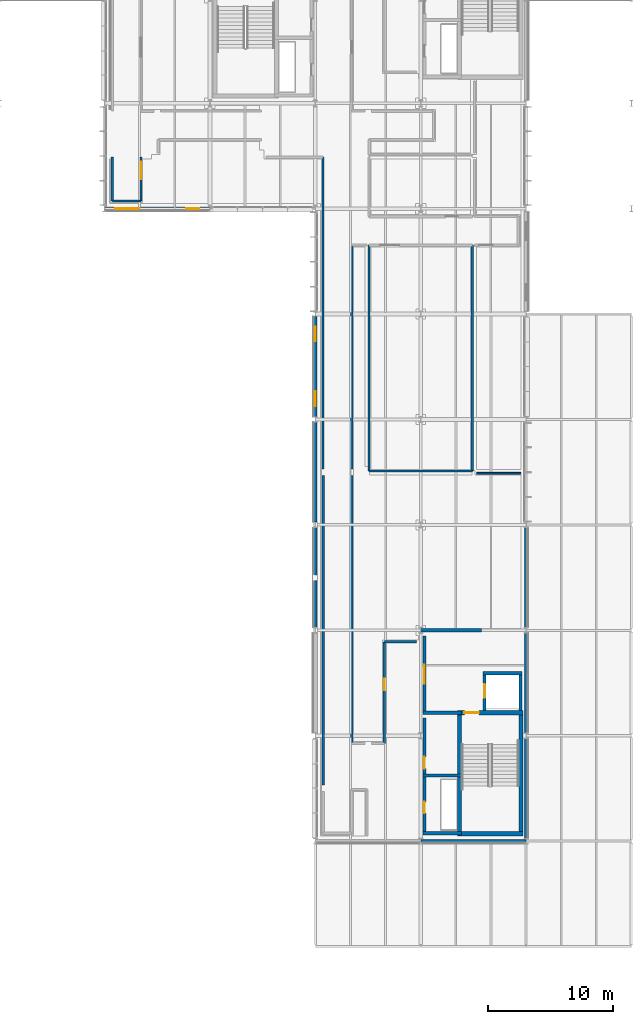
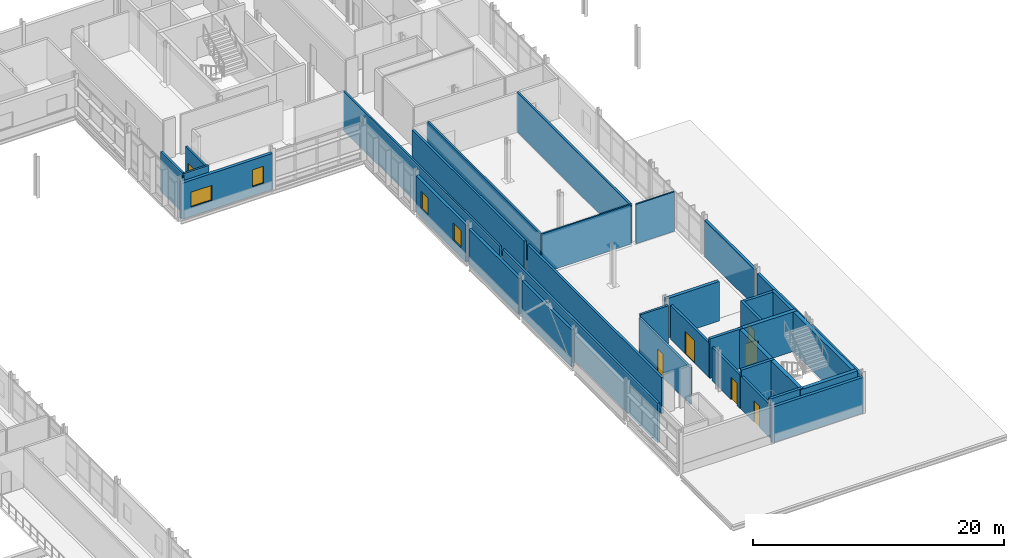
# One storey, part 129 of 151: 35 walls, 7 doors, 4 windows, 11 openings.
"""IFC4 building model written with IfcOpenShell, lengths in metres."""

from ifc_helpers import new_model, si_unit, direction, frame, frame_2d, origin, place, context, subcontext, project, spatial, rectangle, extrude, material, layer, layer_set, type_object, element, fill, save


model = new_model("IFC4")

# Units and contexts
model_context = context("Model", 3, precision=1e-05, world=origin(), true_north=direction((0.0, 1.0)))
body_context = subcontext(model_context, "Body", "Model", "MODEL_VIEW")
ifc_project = project(units=[si_unit("LENGTHUNIT", "METRE"), si_unit("AREAUNIT", "SQUARE_METRE"), si_unit("VOLUMEUNIT", "CUBIC_METRE"), si_unit("PLANEANGLEUNIT", "RADIAN"), si_unit("MASSUNIT", "GRAM", prefix="KILO")], contexts=[model_context])

# Site, building, storey
site_placement = place(None, origin())
site = spatial("IfcSite", under=ifc_project, at=site_placement, CompositionType="ELEMENT")
building_placement = place(site_placement, origin())
building = spatial("IfcBuilding", under=site, at=building_placement, Name="Mersafa Astral City Hall", CompositionType="ELEMENT")
storey_placement = place(building_placement, frame((0.0, 0.0, 9.89990234375)))
storey = spatial("IfcBuildingStorey", under=building, at=storey_placement, Name="L02", CompositionType="ELEMENT", Elevation=9.89990234375)

# Walls
ifc_material_1 = material(Name="Precast concrete C40/50 insulated terracotta spandrel", Category="masonry")
ifc_layer_1 = layer(ifc_material_1, 0.235107421875, Name="Precast concrete C40/50 insulated terracotta spandrel")
ifc_layer_set_1 = layer_set([ifc_layer_1], Name="Precast concrete C40/50 insulated terracotta spandrel — ENV-WAL-EXT-235")
wall_type_1 = type_object("IfcWallType", Name="ENV-WAL-EXT-235", PredefinedType="STANDARD", material=ifc_layer_set_1)
for number, where, z_axis, x_axis, name in (
    (1, (159.60009765625, 75.37890625, 0.0), (0.0, 0.0, 1.0), (0.0, -1.0, 0.0), "L02 Limestone-clad exterior wall 179"),
    (2, (176.39990234375, 67.4208984375, 0.0), (0.0, 0.0, 1.0), (0.0, 1.0, 0.0), "L02 Limestone-clad exterior wall 185"),
):
    element("IfcWall", number, at=place(storey_placement, frame(where, z_axis=z_axis, x_axis=x_axis)), inside=storey, type_object=wall_type_1, Name=name, PredefinedType="STANDARD", context=body_context, shape_type="SweptSolid", body=[
        extrude(rectangle(XDim=7.9580078125, YDim=0.235107421875, at=frame_2d((3.97900390625, 0.0))), origin(), (0.0, 0.0, 1.0), 3.56201171875),
    ])
ifc_layer_2 = layer(ifc_material_1, 0.25, Name="Precast concrete C40/50 insulated terracotta spandrel")
ifc_layer_set_2 = layer_set([ifc_layer_2], Name="Precast concrete C40/50 insulated terracotta spandrel — ENV-WAL-EXT-250")
wall_type_2 = type_object("IfcWallType", Name="ENV-WAL-EXT-250", PredefinedType="STANDARD", material=ifc_layer_set_2)
wall_1_placement = place(storey_placement, frame((159.60009765625, 83.803955078125, 0.0), z_axis=(0.0, 0.0, 1.0), x_axis=(0.0, -1.0, 0.0)))
element("IfcWall", 3, at=wall_1_placement, inside=storey, type_object=wall_type_2, Name="L02 Limestone-clad exterior wall 178", PredefinedType="STANDARD", context=body_context, shape_type="SweptSolid", body=[
    extrude(rectangle(XDim=7.98291015625, YDim=0.25, at=frame_2d((3.991455078125, 0.0))), origin(), (0.0, 0.0, 1.0), 3.47216796875),
])
wall_2_placement = place(storey_placement, frame((176.39990234375, 59.02099609375, 0.0), z_axis=(0.0, 0.0, 1.0), x_axis=(0.0, 1.0, 0.0)))
element("IfcWall", 4, at=wall_2_placement, inside=storey, type_object=wall_type_2, Name="L02 Limestone-clad exterior wall 184", PredefinedType="STANDARD", context=body_context, shape_type="SweptSolid", body=[
    extrude(rectangle(XDim=7.9580078125, YDim=0.25, at=frame_2d((3.97900390625, 0.0))), origin(), (0.0, 0.0, 1.0), 3.47216796875),
])

# Wall, openings, windows
ifc_material_2 = material(Name="Precast concrete C40/50 insulated limestone wall", Category="masonry")
ifc_layer_3 = layer(ifc_material_2, 0.264892578125, Name="Precast concrete C40/50 insulated limestone wall")
ifc_layer_set_3 = layer_set([ifc_layer_3], Name="Precast concrete C40/50 insulated limestone wall — ENV-WAL-EXT-265")
wall_type_3 = type_object("IfcWallType", Name="ENV-WAL-EXT-265", PredefinedType="STANDARD", material=ifc_layer_set_3)
wall_3_placement = place(storey_placement, frame((159.60009765625, 92.22412109375, 0.0), z_axis=(0.0, 0.0, 1.0), x_axis=(0.0, -1.0, 0.0)))
wall_3 = element("IfcWall", 5, at=wall_3_placement, inside=storey, type_object=wall_type_3, Name="L02 Limestone-clad exterior wall 177", PredefinedType="STANDARD", context=body_context, shape_type="SweptSolid", body=[
    extrude(rectangle(XDim=8.028076171875, YDim=0.264892578125, at=frame_2d((4.01416015625, 0.0))), origin(), (0.0, 0.0, 1.0), 3.56201171875),
])
opening_1_placement = place(wall_3_placement, frame((0.85009765625, 0.0, 0.89990234375)))
opening_1 = element("IfcOpeningElement", 6, at=opening_1_placement, cuts=wall_3, Name="Opening W-32", PredefinedType="OPENING", context=body_context, shape_type="SweptSolid", body=[
    extrude(rectangle(XDim=1.1201171875, YDim=1.64990234375, at=frame_2d((0.56005859375, 0.824951171875))), frame((0.0, 0.142333984375, 0.0), z_axis=(0.0, -1.0, 0.0), x_axis=(1.0, 0.0, 0.0)), (0.0, 0.0, 1.0), 0.284912109375),
])
opening_2_placement = place(wall_3_placement, frame((5.9580078125, 0.0, 0.89990234375)))
opening_2 = element("IfcOpeningElement", 7, at=opening_2_placement, cuts=wall_3, Name="Opening W-33", PredefinedType="OPENING", context=body_context, shape_type="SweptSolid", body=[
    extrude(rectangle(XDim=1.219970703125, YDim=1.64990234375, at=frame_2d((0.60986328125, 0.824951171875))), frame((0.0, 0.142333984375, 0.0), z_axis=(0.0, -1.0, 0.0), x_axis=(1.0, 0.0, 0.0)), (0.0, 0.0, 1.0), 0.284912109375),
])
ifc_material_3 = material(Name="Solar control low-e double glazing in bronze frame", Category="glass")
window_type_1 = type_object("IfcWindowType", Name="ENV-WIN-W-32", PartitioningType="SINGLE_PANEL", PredefinedType="WINDOW", material=ifc_material_3)
window_1_placement = place(opening_1_placement, origin())
window_1 = element("IfcWindow", 8, at=window_1_placement, inside=storey, type_object=window_type_1, Name="L02 Solar punched window 177-L", OverallHeight=1.64990234375, OverallWidth=1.1201171875, PartitioningType="SINGLE_PANEL", PredefinedType="WINDOW", context=body_context, shape_type="SweptSolid", body=[
    extrude(rectangle(XDim=1.1201171875, YDim=1.64990234375, at=frame_2d((0.56005859375, 0.824951171875))), frame((0.0, 0.030029296875, 0.0), z_axis=(0.0, -1.0, 0.0), x_axis=(1.0, 0.0, 0.0)), (0.0, 0.0, 1.0), 0.06005859375),
])
fill(opening_1, window_1)
window_type_2 = type_object("IfcWindowType", Name="ENV-WIN-W-33", PartitioningType="SINGLE_PANEL", PredefinedType="WINDOW", material=ifc_material_3)
window_2_placement = place(opening_2_placement, origin())
window_2 = element("IfcWindow", 9, at=window_2_placement, inside=storey, type_object=window_type_2, Name="L02 Solar punched window 177-R", OverallHeight=1.64990234375, OverallWidth=1.219970703125, PartitioningType="SINGLE_PANEL", PredefinedType="WINDOW", context=body_context, shape_type="SweptSolid", body=[
    extrude(rectangle(XDim=1.219970703125, YDim=1.64990234375, at=frame_2d((0.60986328125, 0.824951171875))), frame((0.0, 0.030029296875, 0.0), z_axis=(0.0, -1.0, 0.0), x_axis=(1.0, 0.0, 0.0)), (0.0, 0.0, 1.0), 0.06005859375),
])
fill(opening_2, window_2)

# Wall
wall_4_placement = place(storey_placement, frame((176.39990234375, 50.62109375, 0.0), z_axis=(0.0, 0.0, 1.0), x_axis=(0.0, 1.0, 0.0)))
element("IfcWall", 10, at=wall_4_placement, inside=storey, type_object=wall_type_3, Name="L02 Limestone-clad exterior wall 183", PredefinedType="STANDARD", context=body_context, shape_type="SweptSolid", body=[
    extrude(rectangle(XDim=7.9580078125, YDim=0.264892578125, at=frame_2d((3.97900390625, 0.0))), origin(), (0.0, 0.0, 1.0), 3.56201171875),
])

# Wall, openings, windows
ifc_layer_4 = layer(ifc_material_2, 0.280029296875, Name="Precast concrete C40/50 insulated limestone wall")
ifc_layer_set_4 = layer_set([ifc_layer_4], Name="Precast concrete C40/50 insulated limestone wall — ENV-WAL-EXT-280")
wall_type_4 = type_object("IfcWallType", Name="ENV-WAL-EXT-280", PredefinedType="STANDARD", material=ifc_layer_set_4)
wall_5_placement = place(storey_placement, frame((142.80810546875, 100.800048828125, 0.0), z_axis=(0.0, 0.0, 1.0), x_axis=(1.0, 0.0, 0.0)))
wall_5 = element("IfcWall", 11, at=wall_5_placement, inside=storey, type_object=wall_type_4, Name="L02 Limestone-clad exterior wall 176", PredefinedType="STANDARD", context=body_context, shape_type="SweptSolid", body=[
    extrude(rectangle(XDim=8.3837890625, YDim=0.280029296875, at=frame_2d((4.19189453125, 0.0))), origin(), (0.0, 0.0, 1.0), 3.502197265625),
])
opening_3_placement = place(wall_5_placement, frame((0.85009765625, 0.0, 0.89990234375)))
opening_3 = element("IfcOpeningElement", 12, at=opening_3_placement, cuts=wall_5, Name="Opening W-30", PredefinedType="OPENING", context=body_context, shape_type="SweptSolid", body=[
    extrude(rectangle(XDim=1.919921875, YDim=1.449951171875, at=frame_2d((0.9599609375, 0.72509765625))), frame((0.0, 0.14990234375, 0.0), z_axis=(0.0, -1.0, 0.0), x_axis=(1.0, 0.0, 0.0)), (0.0, 0.0, 1.0), 0.300048828125),
])
opening_4_placement = place(wall_5_placement, frame((6.513916015625, 0.0, 0.89990234375)))
opening_4 = element("IfcOpeningElement", 13, at=opening_4_placement, cuts=wall_5, Name="Opening W-31", PredefinedType="OPENING", context=body_context, shape_type="SweptSolid", body=[
    extrude(rectangle(XDim=1.02001953125, YDim=1.64990234375, at=frame_2d((0.510009765625, 0.824951171875))), frame((0.0, 0.14990234375, 0.0), z_axis=(0.0, -1.0, 0.0), x_axis=(1.0, 0.0, 0.0)), (0.0, 0.0, 1.0), 0.300048828125),
])
window_type_3 = type_object("IfcWindowType", Name="ENV-WIN-W-30", PartitioningType="SINGLE_PANEL", PredefinedType="WINDOW", material=ifc_material_3)
window_3_placement = place(opening_3_placement, origin())
window_3 = element("IfcWindow", 14, at=window_3_placement, inside=storey, type_object=window_type_3, Name="L02 Solar punched window 176-L", OverallHeight=1.449951171875, OverallWidth=1.919921875, PartitioningType="SINGLE_PANEL", PredefinedType="WINDOW", context=body_context, shape_type="SweptSolid", body=[
    extrude(rectangle(XDim=1.919921875, YDim=1.449951171875, at=frame_2d((0.9599609375, 0.72509765625))), frame((0.0, 0.030029296875, 0.0), z_axis=(0.0, -1.0, 0.0), x_axis=(1.0, 0.0, 0.0)), (0.0, 0.0, 1.0), 0.06005859375),
])
fill(opening_3, window_3)
window_type_4 = type_object("IfcWindowType", Name="ENV-WIN-W-31", PartitioningType="SINGLE_PANEL", PredefinedType="WINDOW", material=ifc_material_3)
window_4_placement = place(opening_4_placement, origin())
window_4 = element("IfcWindow", 15, at=window_4_placement, inside=storey, type_object=window_type_4, Name="L02 Solar punched window 176-R", OverallHeight=1.64990234375, OverallWidth=1.02001953125, PartitioningType="SINGLE_PANEL", PredefinedType="WINDOW", context=body_context, shape_type="SweptSolid", body=[
    extrude(rectangle(XDim=1.02001953125, YDim=1.64990234375, at=frame_2d((0.510009765625, 0.824951171875))), frame((0.0, 0.030029296875, 0.0), z_axis=(0.0, -1.0, 0.0), x_axis=(1.0, 0.0, 0.0)), (0.0, 0.0, 1.0), 0.06005859375),
])
fill(opening_4, window_4)

# Walls
wall_6_placement = place(storey_placement, frame((168.008056640625, 50.39990234375, 0.0), z_axis=(0.0, 0.0, 1.0), x_axis=(1.0, 0.0, 0.0)))
element("IfcWall", 16, at=wall_6_placement, inside=storey, type_object=wall_type_4, Name="L02 Limestone-clad exterior wall 182", PredefinedType="STANDARD", context=body_context, shape_type="SweptSolid", body=[
    extrude(rectangle(XDim=8.384033203125, YDim=0.280029296875, at=frame_2d((4.19189453125, 0.0))), origin(), (0.0, 0.0, 1.0), 3.47216796875),
])
ifc_material_4 = material(Name="Concrete C40/50", Category="concrete")
ifc_layer_5 = layer(ifc_material_4, 0.260009765625, Name="Concrete C40/50")
ifc_layer_set_5 = layer_set([ifc_layer_5], Name="Concrete C40/50 — INT-WAL-CORE-260")
wall_type_5 = type_object("IfcWallType", Name="INT-WAL-CORE-260", PredefinedType="SHEAR", material=ifc_layer_set_5)
wall_7_placement = place(storey_placement, frame((172.955078125, 63.784912109375, 0.0), z_axis=(0.0, 0.0, 1.0), x_axis=(1.0, 0.0, 0.0)))
element("IfcWall", 17, at=wall_7_placement, inside=storey, type_object=wall_type_5, Name="L02 Lift LF6 north shaft wall", PredefinedType="SHEAR", context=body_context, shape_type="SweptSolid", body=[
    extrude(rectangle(XDim=3.1298828125, YDim=0.260009765625, at=frame_2d((1.56494140625, 0.0))), origin(), (0.0, 0.0, 1.0), 3.840087890625),
])
wall_8_placement = place(storey_placement, frame((175.955078125, 60.797119140625, 0.0), z_axis=(0.0, 0.0, 1.0), x_axis=(0.0, 1.0, 0.0)))
element("IfcWall", 18, at=wall_8_placement, inside=storey, type_object=wall_type_5, Name="L02 Lift LF6 back shaft wall", PredefinedType="SHEAR", context=body_context, shape_type="SweptSolid", body=[
    extrude(rectangle(XDim=3.117919921875, YDim=0.260009765625, at=frame_2d((1.55908203125, 0.0))), origin(), (0.0, 0.0, 1.0), 3.840087890625),
])

# Wall, opening, door
wall_9_placement = place(storey_placement, frame((173.0849609375, 60.797119140625, 0.0), z_axis=(0.0, 0.0, 1.0), x_axis=(0.0, 1.0, 0.0)))
wall_9 = element("IfcWall", 19, at=wall_9_placement, inside=storey, type_object=wall_type_5, Name="L02 Lift LF6 front shaft wall", PredefinedType="SHEAR", context=body_context, shape_type="SweptSolid", body=[
    extrude(rectangle(XDim=3.117919921875, YDim=0.260009765625, at=frame_2d((1.55908203125, 0.0))), origin(), (0.0, 0.0, 1.0), 3.840087890625),
])
opening_5_placement = place(wall_9_placement, frame((1.009033203125, 0.0, 0.0)))
opening_5 = element("IfcOpeningElement", 20, at=opening_5_placement, cuts=wall_9, Name="Opening LD-1", PredefinedType="OPENING", context=body_context, shape_type="SweptSolid", body=[
    extrude(rectangle(XDim=1.10009765625, YDim=2.14990234375, at=frame_2d((0.550048828125, 1.074951171875))), frame((0.0, 0.139892578125, 0.0), z_axis=(0.0, -1.0, 0.0), x_axis=(1.0, 0.0, 0.0)), (0.0, 0.0, 1.0), 0.280029296875),
])
ifc_material_5 = material(Name="Stainless steel sliding lift landing door", Category="steel")
door_type_1 = type_object("IfcDoorType", Name="INT-DR-LIFT-LD1", OperationType="NOTDEFINED", PredefinedType="DOOR", material=ifc_material_5)
door_1_placement = place(opening_5_placement, origin())
door_1 = element("IfcDoor", 21, at=door_1_placement, inside=storey, type_object=door_type_1, Name="Elevator LF6 Sliding Landing Door L02", OperationType="DOUBLE_DOOR_SLIDING", OverallHeight=2.14990234375, OverallWidth=1.10009765625, PredefinedType="DOOR", context=body_context, shape_type="SweptSolid", body=[
    extrude(rectangle(XDim=1.10009765625, YDim=2.14990234375, at=frame_2d((0.550048828125, 1.074951171875))), frame((0.0, 0.02490234375, 0.0), z_axis=(0.0, -1.0, 0.0), x_axis=(1.0, 0.0, 0.0)), (0.0, 0.0, 1.0), 0.050048828125),
])
fill(opening_5, door_1)

# Walls
for number, where, z_axis, x_axis, name in (
    (22, (168.199951171875, 51.02001953125, 0.0), (0.0, 0.0, 1.0), (1.0, 0.0, 0.0), "L02 Core K4 riser south wall"),
    (23, (168.199951171875, 55.635009765625, 0.0), (0.0, 0.0, 1.0), (1.0, 0.0, 0.0), "L02 Core K4 riser-restroom divider wall"),
    (24, (168.199951171875, 60.635009765625, 0.0), (0.0, 0.0, 1.0), (1.0, 0.0, 0.0), "L02 Core K4 restroom-lobby divider wall"),
):
    element("IfcWall", number, at=place(storey_placement, frame(where, z_axis=z_axis, x_axis=x_axis)), inside=storey, type_object=wall_type_5, Name=name, PredefinedType="SHEAR", context=body_context, shape_type="SweptSolid", body=[
        extrude(rectangle(XDim=3.03515625, YDim=0.260009765625, at=frame_2d((1.517578125, 0.0))), origin(), (0.0, 0.0, 1.0), 3.840087890625),
    ])
ifc_layer_6 = layer(ifc_material_4, 0.300048828125, Name="Concrete C40/50")
ifc_layer_set_6 = layer_set([ifc_layer_6], Name="Concrete C40/50 — INT-WAL-CORE-300")
wall_type_6 = type_object("IfcWallType", Name="INT-WAL-CORE-300", PredefinedType="SHEAR", material=ifc_layer_set_6)
wall_10_placement = place(storey_placement, frame((167.97998046875, 67.2099609375, 0.0), z_axis=(0.0, 0.0, 1.0), x_axis=(1.0, 0.0, 0.0)))
element("IfcWall", 25, at=wall_10_placement, inside=storey, type_object=wall_type_6, Name="L02 Core K4 lobby north shear wall", PredefinedType="SHEAR", context=body_context, shape_type="SweptSolid", body=[
    extrude(rectangle(XDim=4.8701171875, YDim=0.300048828125, at=frame_2d((2.43505859375, 0.0))), origin(), (0.0, 0.0, 1.0), 3.840087890625),
])
ifc_layer_7 = layer(ifc_material_4, 0.340087890625, Name="Concrete C40/50")
ifc_layer_set_7 = layer_set([ifc_layer_7], Name="Concrete C40/50 — INT-WAL-CORE-340")
wall_type_7 = type_object("IfcWallType", Name="INT-WAL-CORE-340", PredefinedType="SHEAR", material=ifc_layer_set_7)
for number, where, z_axis, x_axis, name in (
    (26, (171.0849609375, 50.804931640625, 0.0), (0.0, 0.0, 1.0), (0.0, 1.0, 0.0), "L02 Core K4 stair west shear wall"),
    (27, (175.9951171875, 50.804931640625, 0.0), (0.0, 0.0, 1.0), (0.0, 1.0, 0.0), "L02 Core K4 stair east shear wall"),
):
    element("IfcWall", number, at=place(storey_placement, frame(where, z_axis=z_axis, x_axis=x_axis)), inside=storey, type_object=wall_type_7, Name=name, PredefinedType="SHEAR", context=body_context, shape_type="SweptSolid", body=[
        extrude(rectangle(XDim=9.989990234375, YDim=0.340087890625, at=frame_2d((4.9951171875, 0.0))), origin(), (0.0, 0.0, 1.0), 3.840087890625),
    ])
wall_11_placement = place(storey_placement, frame((170.9150390625, 50.97509765625, 0.0), z_axis=(0.0, 0.0, 1.0), x_axis=(1.0, 0.0, 0.0)))
element("IfcWall", 28, at=wall_11_placement, inside=storey, type_object=wall_type_7, Name="L02 Core K4 stair south shear wall", PredefinedType="SHEAR", context=body_context, shape_type="SweptSolid", body=[
    extrude(rectangle(XDim=5.25, YDim=0.340087890625, at=frame_2d((2.625, 0.0))), origin(), (0.0, 0.0, 1.0), 3.840087890625),
])

# Wall, opening, door
wall_12_placement = place(storey_placement, frame((170.9150390625, 60.625, 0.0), z_axis=(0.0, 0.0, 1.0), x_axis=(1.0, 0.0, 0.0)))
wall_12 = element("IfcWall", 29, at=wall_12_placement, inside=storey, type_object=wall_type_7, Name="L02 Core K4 stair-lobby fire wall", PredefinedType="SHEAR", context=body_context, shape_type="SweptSolid", body=[
    extrude(rectangle(XDim=5.25, YDim=0.340087890625, at=frame_2d((2.625, 0.0))), origin(), (0.0, 0.0, 1.0), 3.840087890625),
])
opening_6_placement = place(wall_12_placement, frame((0.56494140625, 0.0, 0.0)))
opening_6 = element("IfcOpeningElement", 30, at=opening_6_placement, cuts=wall_12, Name="Opening CD-1", PredefinedType="OPENING", context=body_context, shape_type="SweptSolid", body=[
    extrude(rectangle(XDim=1.14990234375, YDim=2.14990234375, at=frame_2d((0.574951171875, 1.074951171875))), frame((0.0, 0.179931640625, 0.0), z_axis=(0.0, -1.0, 0.0), x_axis=(1.0, 0.0, 0.0)), (0.0, 0.0, 1.0), 0.360107421875),
])
ifc_material_6 = material(Name="Fire-rated steel stair door", Category="steel")
door_type_2 = type_object("IfcDoorType", Name="INT-DR-STAIR-FD90-1150", OperationType="NOTDEFINED", PredefinedType="DOOR", material=ifc_material_6)
door_2_placement = place(opening_6_placement, origin())
door_2 = element("IfcDoor", 31, at=door_2_placement, inside=storey, type_object=door_type_2, Name="L02 Protected Stair ST4 Door", OperationType="SINGLE_SWING_LEFT", OverallHeight=2.14990234375, OverallWidth=1.14990234375, PredefinedType="DOOR", context=body_context, shape_type="SweptSolid", body=[
    extrude(rectangle(XDim=1.14990234375, YDim=2.14990234375, at=frame_2d((0.574951171875, 1.074951171875))), frame((0.0, 0.02490234375, 0.0), z_axis=(0.0, -1.0, 0.0), x_axis=(1.0, 0.0, 0.0)), (0.0, 0.0, 1.0), 0.050048828125),
])
fill(opening_6, door_2)

# Walls
ifc_material_7 = material(Name="Acoustic steel-stud gypsum partition", Category="steel")
ifc_layer_8 = layer(ifc_material_7, 0.135009765625, Name="Acoustic steel-stud gypsum partition")
ifc_layer_set_8 = layer_set([ifc_layer_8], Name="Acoustic steel-stud gypsum partition — INT-WAL-PART-EI30-135")
wall_type_8 = type_object("IfcWallType", Name="INT-WAL-PART-EI30-135", PredefinedType="STANDARD", material=ifc_layer_set_8)
wall_13_placement = place(storey_placement, frame((172.110107421875, 79.889892578125, -0.00390625), z_axis=(0.0, 0.0, 1.0), x_axis=(-1.0, 0.0, 0.0)))
element("IfcWall", 32, at=wall_13_placement, inside=storey, type_object=wall_type_8, Name="L02 Interior partition wall 418", PredefinedType="STANDARD", context=body_context, shape_type="SweptSolid", body=[
    extrude(rectangle(XDim=8.22021484375, YDim=0.135009765625, at=frame_2d((4.110107421875, 0.0))), origin(), (0.0, 0.0, 1.0), 3.843994140625),
])
wall_14_placement = place(storey_placement, frame((172.4599609375, 79.7099609375, -0.00390625), z_axis=(0.0, 0.0, 1.0), x_axis=(1.0, 0.0, 0.0)))
element("IfcWall", 33, at=wall_14_placement, inside=storey, type_object=wall_type_8, Name="L02 Interior partition wall 427", PredefinedType="STANDARD", context=body_context, shape_type="SweptSolid", body=[
    extrude(rectangle(XDim=3.52001953125, YDim=0.135009765625, at=frame_2d((1.760009765625, 0.0))), origin(), (0.0, 0.0, 1.0), 3.843994140625),
])
ifc_material_8 = material(Name="Fire-rated gypsum stud partition", Category="gypsum")
ifc_layer_9 = layer(ifc_material_8, 0.1650390625, Name="Fire-rated gypsum stud partition")
ifc_layer_set_9 = layer_set([ifc_layer_9], Name="Fire-rated gypsum stud partition — INT-WAL-PART-EI60-165")
wall_type_9 = type_object("IfcWallType", Name="INT-WAL-PART-EI60-165", PredefinedType="STANDARD", material=ifc_layer_set_9)
wall_15_placement = place(storey_placement, frame((163.889892578125, 79.889892578125, -0.00390625), z_axis=(0.0, 0.0, 1.0), x_axis=(0.0, 1.0, 0.0)))
element("IfcWall", 34, at=wall_15_placement, inside=storey, type_object=wall_type_9, Name="L02 Interior partition wall 419", PredefinedType="STANDARD", context=body_context, shape_type="SweptSolid", body=[
    extrude(rectangle(XDim=18.010009765625, YDim=0.1650390625, at=frame_2d((9.0048828125, 0.0))), origin(), (0.0, 0.0, 1.0), 3.843994140625),
])

# Wall, opening, door
wall_16_placement = place(storey_placement, frame((145.699951171875, 101.419921875, -0.00390625), z_axis=(0.0, 0.0, 1.0), x_axis=(0.0, 1.0, 0.0)))
wall_16 = element("IfcWall", 35, at=wall_16_placement, inside=storey, type_object=wall_type_9, Name="L02 Interior partition wall 519", PredefinedType="STANDARD", context=body_context, shape_type="SweptSolid", body=[
    extrude(rectangle(XDim=3.489990234375, YDim=0.1650390625, at=frame_2d((1.7451171875, 0.0))), origin(), (0.0, 0.0, 1.0), 3.56591796875),
])
opening_7_placement = place(wall_16_placement, frame((1.72998046875, 0.0, 0.0)))
opening_7 = element("IfcOpeningElement", 36, at=opening_7_placement, cuts=wall_16, Name="Opening D-16", PredefinedType="OPENING", context=body_context, shape_type="SweptSolid", body=[
    extrude(rectangle(XDim=1.39990234375, YDim=2.139892578125, at=frame_2d((0.699951171875, 1.06982421875))), frame((0.0, 0.092529296875, 0.0), z_axis=(0.0, -1.0, 0.0), x_axis=(1.0, 0.0, 0.0)), (0.0, 0.0, 1.0), 0.18505859375),
])
ifc_material_9 = material(Name="Cedar veneered acoustic fire-rated timber door", Category="wood")
door_type_3 = type_object("IfcDoorType", Name="INT-DR-RM-D-16", OperationType="NOTDEFINED", PredefinedType="DOOR", material=ifc_material_9)
door_3_placement = place(opening_7_placement, origin())
door_3 = element("IfcDoor", 37, at=door_3_placement, inside=storey, type_object=door_type_3, Name="L02 Standing Committee Room L02-30 Entrance Door", OperationType="SINGLE_SWING_RIGHT", OverallHeight=2.139892578125, OverallWidth=1.39990234375, PredefinedType="DOOR", context=body_context, shape_type="SweptSolid", body=[
    extrude(rectangle(XDim=1.39990234375, YDim=2.139892578125, at=frame_2d((0.699951171875, 1.06982421875))), frame((0.0, 0.02490234375, 0.0), z_axis=(0.0, -1.0, 0.0), x_axis=(1.0, 0.0, 0.0)), (0.0, 0.0, 1.0), 0.050048828125),
])
fill(opening_7, door_3)

# Walls
wall_17_placement = place(storey_placement, frame((160.219970703125, 104.909912109375, -0.00390625), z_axis=(0.0, 0.0, 1.0), x_axis=(0.0, -1.0, 0.0)))
element("IfcWall", 38, at=wall_17_placement, inside=storey, type_object=wall_type_9, Name="L02 Interior partition wall 523", PredefinedType="STANDARD", context=body_context, shape_type="SweptSolid", body=[
    extrude(rectangle(XDim=24.849853515625, YDim=0.1650390625, at=frame_2d((12.4248046875, 0.0))), origin(), (0.0, 0.0, 1.0), 3.843994140625),
])
ifc_material_10 = material(Name="Acoustic twin-stud gypsum partition", Category="gypsum")
ifc_layer_10 = layer(ifc_material_10, 0.179931640625, Name="Acoustic twin-stud gypsum partition")
ifc_layer_set_10 = layer_set([ifc_layer_10], Name="Acoustic twin-stud gypsum partition — INT-WAL-PART-EI60-180")
wall_type_10 = type_object("IfcWallType", Name="INT-WAL-PART-EI60-180", PredefinedType="STANDARD", material=ifc_layer_set_10)
wall_18_placement = place(storey_placement, frame((143.419921875, 101.419921875, -0.00390625), z_axis=(0.0, 0.0, 1.0), x_axis=(1.0, 0.0, 0.0)))
element("IfcWall", 39, at=wall_18_placement, inside=storey, type_object=wall_type_10, Name="L02 Interior partition wall 518", PredefinedType="STANDARD", context=body_context, shape_type="SweptSolid", body=[
    extrude(rectangle(XDim=2.280029296875, YDim=0.179931640625, at=frame_2d((1.14013671875, 0.0))), origin(), (0.0, 0.0, 1.0), 3.843994140625),
])
ifc_layer_11 = layer(ifc_material_10, 0.195068359375, Name="Acoustic twin-stud gypsum partition")
ifc_layer_set_11 = layer_set([ifc_layer_11], Name="Acoustic twin-stud gypsum partition — INT-WAL-PART-EI60-195")
wall_type_11 = type_object("IfcWallType", Name="INT-WAL-PART-EI60-195", PredefinedType="STANDARD", material=ifc_layer_set_11)
wall_19_placement = place(storey_placement, frame((172.110107421875, 97.89990234375, -0.00390625), z_axis=(0.0, 0.0, 1.0), x_axis=(0.0, -1.0, 0.0)))
element("IfcWall", 40, at=wall_19_placement, inside=storey, type_object=wall_type_11, Name="L02 Interior partition wall 417", PredefinedType="STANDARD", context=body_context, shape_type="SweptSolid", body=[
    extrude(rectangle(XDim=18.010009765625, YDim=0.195068359375, at=frame_2d((9.0048828125, 0.0))), origin(), (0.0, 0.0, 1.0), 3.843994140625),
])

# Wall, opening, door
wall_20_placement = place(storey_placement, frame((165.10009765625, 66.280029296875, -0.00390625), z_axis=(0.0, 0.0, 1.0), x_axis=(0.0, -1.0, 0.0)))
wall_20 = element("IfcWall", 41, at=wall_20_placement, inside=storey, type_object=wall_type_11, Name="L02 Interior partition wall 429", PredefinedType="STANDARD", context=body_context, shape_type="SweptSolid", body=[
    extrude(rectangle(XDim=8.10009765625, YDim=0.195068359375, at=frame_2d((4.050048828125, 0.0))), origin(), (0.0, 0.0, 1.0), 3.56591796875),
])
opening_8_placement = place(wall_20_placement, frame((2.94189453125, 0.0, 0.0)))
opening_8 = element("IfcOpeningElement", 42, at=opening_8_placement, cuts=wall_20, Name="Opening D-28", PredefinedType="OPENING", context=body_context, shape_type="SweptSolid", body=[
    extrude(rectangle(XDim=0.919921875, YDim=2.300048828125, at=frame_2d((0.4599609375, 1.14990234375))), frame((0.0, 0.107421875, 0.0), z_axis=(0.0, -1.0, 0.0), x_axis=(1.0, 0.0, 0.0)), (0.0, 0.0, 1.0), 0.215087890625),
])
door_type_4 = type_object("IfcDoorType", Name="INT-DR-RM-D-28", OperationType="NOTDEFINED", PredefinedType="DOOR", material=ifc_material_9)
door_4_placement = place(opening_8_placement, origin())
door_4 = element("IfcDoor", 43, at=door_4_placement, inside=storey, type_object=door_type_4, Name="L02 Municipal Reference Reading Room L02-06 Entrance Door", OperationType="SINGLE_SWING_RIGHT", OverallHeight=2.300048828125, OverallWidth=0.919921875, PredefinedType="DOOR", context=body_context, shape_type="SweptSolid", body=[
    extrude(rectangle(XDim=0.919921875, YDim=2.300048828125, at=frame_2d((0.4599609375, 1.14990234375))), frame((0.0, 0.02490234375, 0.0), z_axis=(0.0, -1.0, 0.0), x_axis=(1.0, 0.0, 0.0)), (0.0, 0.0, 1.0), 0.050048828125),
])
fill(opening_8, door_4)

# Walls
wall_21_placement = place(storey_placement, frame((162.5, 80.06005859375, -0.00390625), z_axis=(0.0, 0.0, 1.0), x_axis=(0.0, 1.0, 0.0)))
element("IfcWall", 44, at=wall_21_placement, inside=storey, type_object=wall_type_11, Name="L02 Interior partition wall 433", PredefinedType="STANDARD", context=body_context, shape_type="SweptSolid", body=[
    extrude(rectangle(XDim=17.83984375, YDim=0.195068359375, at=frame_2d((8.919921875, 0.0))), origin(), (0.0, 0.0, 1.0), 3.535888671875),
])
wall_22_placement = place(storey_placement, frame((143.419921875, 104.909912109375, -0.00390625), z_axis=(0.0, 0.0, 1.0), x_axis=(0.0, -1.0, 0.0)))
element("IfcWall", 45, at=wall_22_placement, inside=storey, type_object=wall_type_11, Name="L02 Interior partition wall 517", PredefinedType="STANDARD", context=body_context, shape_type="SweptSolid", body=[
    extrude(rectangle(XDim=3.489990234375, YDim=0.195068359375, at=frame_2d((1.7451171875, 0.0))), origin(), (0.0, 0.0, 1.0), 3.843994140625),
])

# Wall, opening, door
ifc_material_11 = material(Name="Autoclaved aerated concrete blockwork plastered", Category="masonry")
ifc_layer_12 = layer(ifc_material_11, 0.2099609375, Name="Autoclaved aerated concrete blockwork plastered")
ifc_layer_set_12 = layer_set([ifc_layer_12], Name="Autoclaved aerated concrete blockwork plastered — INT-WAL-PART-EI60-210")
wall_type_12 = type_object("IfcWallType", Name="INT-WAL-PART-EI60-210", PredefinedType="STANDARD", material=ifc_layer_set_12)
wall_23_placement = place(storey_placement, frame((168.300048828125, 51.02001953125, 0.0), z_axis=(0.0, 0.0, 1.0), x_axis=(0.0, 1.0, 0.0)))
wall_23 = element("IfcWall", 46, at=wall_23_placement, inside=storey, type_object=wall_type_12, Name="L02 Core K4 riser corridor partition", PredefinedType="STANDARD", context=body_context, shape_type="SweptSolid", body=[
    extrude(rectangle(XDim=4.590087890625, YDim=0.2099609375, at=frame_2d((2.294921875, 0.0))), origin(), (0.0, 0.0, 1.0), 3.232177734375),
])
opening_9_placement = place(wall_23_placement, frame((1.60009765625, 0.0, 0.0)))
opening_9 = element("IfcOpeningElement", 47, at=opening_9_placement, cuts=wall_23, Name="Opening CD-5", PredefinedType="OPENING", context=body_context, shape_type="SweptSolid", body=[
    extrude(rectangle(XDim=0.89990234375, YDim=2.10009765625, at=frame_2d((0.449951171875, 1.050048828125))), frame((0.0, 0.114990234375, 0.0), z_axis=(0.0, -1.0, 0.0), x_axis=(1.0, 0.0, 0.0)), (0.0, 0.0, 1.0), 0.22998046875),
])
ifc_material_12 = material(Name="Fire-rated steel riser access door", Category="steel")
door_type_5 = type_object("IfcDoorType", Name="INT-DR-RISER-FD60-900", OperationType="NOTDEFINED", PredefinedType="DOOR", material=ifc_material_12)
door_5_placement = place(opening_9_placement, origin())
door_5 = element("IfcDoor", 48, at=door_5_placement, inside=storey, type_object=door_type_5, Name="L02 K4 MEP Riser Access Door", OperationType="SINGLE_SWING_LEFT", OverallHeight=2.10009765625, OverallWidth=0.89990234375, PredefinedType="DOOR", context=body_context, shape_type="SweptSolid", body=[
    extrude(rectangle(XDim=0.89990234375, YDim=2.10009765625, at=frame_2d((0.449951171875, 1.050048828125))), frame((0.0, 0.02490234375, 0.0), z_axis=(0.0, -1.0, 0.0), x_axis=(1.0, 0.0, 0.0)), (0.0, 0.0, 1.0), 0.050048828125),
])
fill(opening_9, door_5)

wall_24_placement = place(storey_placement, frame((168.300048828125, 55.719970703125, 0.0), z_axis=(0.0, 0.0, 1.0), x_axis=(0.0, 1.0, 0.0)))
wall_24 = element("IfcWall", 49, at=wall_24_placement, inside=storey, type_object=wall_type_12, Name="L02 Core K4 accessible WC corridor partition", PredefinedType="STANDARD", context=body_context, shape_type="SweptSolid", body=[
    extrude(rectangle(XDim=4.47998046875, YDim=0.2099609375, at=frame_2d((2.239990234375, 0.0))), origin(), (0.0, 0.0, 1.0), 3.232177734375),
])
opening_10_placement = place(wall_24_placement, frame((0.449951171875, 0.0, 0.0)))
opening_10 = element("IfcOpeningElement", 50, at=opening_10_placement, cuts=wall_24, Name="Opening CD-4", PredefinedType="OPENING", context=body_context, shape_type="SweptSolid", body=[
    extrude(rectangle(XDim=0.949951171875, YDim=2.14990234375, at=frame_2d((0.47509765625, 1.074951171875))), frame((0.0, 0.114990234375, 0.0), z_axis=(0.0, -1.0, 0.0), x_axis=(1.0, 0.0, 0.0)), (0.0, 0.0, 1.0), 0.22998046875),
])
ifc_material_13 = material(Name="Accessible timber acoustic WC door", Category="wood")
door_type_6 = type_object("IfcDoorType", Name="INT-DR-WC-FD30-950", OperationType="NOTDEFINED", PredefinedType="DOOR", material=ifc_material_13)
door_6_placement = place(opening_10_placement, origin())
door_6 = element("IfcDoor", 51, at=door_6_placement, inside=storey, type_object=door_type_6, Name="L02 K4 Accessible Restroom Door", OperationType="SINGLE_SWING_RIGHT", OverallHeight=2.14990234375, OverallWidth=0.949951171875, PredefinedType="DOOR", context=body_context, shape_type="SweptSolid", body=[
    extrude(rectangle(XDim=0.949951171875, YDim=2.14990234375, at=frame_2d((0.47509765625, 1.074951171875))), frame((0.0, 0.02490234375, 0.0), z_axis=(0.0, -1.0, 0.0), x_axis=(1.0, 0.0, 0.0)), (0.0, 0.0, 1.0), 0.050048828125),
])
fill(opening_10, door_6)

wall_25_placement = place(storey_placement, frame((168.300048828125, 60.639892578125, 0.0), z_axis=(0.0, 0.0, 1.0), x_axis=(0.0, 1.0, 0.0)))
wall_25 = element("IfcWall", 52, at=wall_25_placement, inside=storey, type_object=wall_type_12, Name="L02 Core K4 lobby corridor partition", PredefinedType="STANDARD", context=body_context, shape_type="SweptSolid", body=[
    extrude(rectangle(XDim=6.1201171875, YDim=0.2099609375, at=frame_2d((3.06005859375, 0.0))), origin(), (0.0, 0.0, 1.0), 3.342041015625),
])
opening_11_placement = place(wall_25_placement, frame((2.31005859375, 0.0, 0.0)))
opening_11 = element("IfcOpeningElement", 53, at=opening_11_placement, cuts=wall_25, Name="Opening CD-3", PredefinedType="OPENING", context=body_context, shape_type="SweptSolid", body=[
    extrude(rectangle(XDim=1.5, YDim=2.199951171875, at=frame_2d((0.75, 1.10009765625))), frame((0.0, 0.114990234375, 0.0), z_axis=(0.0, -1.0, 0.0), x_axis=(1.0, 0.0, 0.0)), (0.0, 0.0, 1.0), 0.22998046875),
])
ifc_material_14 = material(Name="Fire-rated glazed lobby door pair", Category="metal")
door_type_7 = type_object("IfcDoorType", Name="INT-DR-LOBBY-FD90-1500", OperationType="NOTDEFINED", PredefinedType="DOOR", material=ifc_material_14)
door_7_placement = place(opening_11_placement, origin())
door_7 = element("IfcDoor", 54, at=door_7_placement, inside=storey, type_object=door_type_7, Name="L02 K4 Lift Lobby Fire Door", OperationType="DOUBLE_DOOR_SINGLE_SWING", OverallHeight=2.199951171875, OverallWidth=1.5, PredefinedType="DOOR", context=body_context, shape_type="SweptSolid", body=[
    extrude(rectangle(XDim=1.5, YDim=2.199951171875, at=frame_2d((0.75, 1.10009765625))), frame((0.0, 0.02490234375, 0.0), z_axis=(0.0, -1.0, 0.0), x_axis=(1.0, 0.0, 0.0)), (0.0, 0.0, 1.0), 0.050048828125),
])
fill(opening_11, door_7)

# Walls
wall_26_placement = place(storey_placement, frame((167.659912109375, 66.280029296875, -0.00390625), z_axis=(0.0, 0.0, 1.0), x_axis=(-1.0, 0.0, 0.0)))
element("IfcWall", 55, at=wall_26_placement, inside=storey, type_object=wall_type_12, Name="L02 Interior partition wall 428", PredefinedType="STANDARD", context=body_context, shape_type="SweptSolid", body=[
    extrude(rectangle(XDim=2.559814453125, YDim=0.2099609375, at=frame_2d((1.27978515625, 0.0))), origin(), (0.0, 0.0, 1.0), 3.843994140625),
])
wall_27_placement = place(storey_placement, frame((162.5, 58.179931640625, -0.00390625), z_axis=(0.0, 0.0, 1.0), x_axis=(0.0, 1.0, 0.0)))
element("IfcWall", 56, at=wall_27_placement, inside=storey, type_object=wall_type_12, Name="L02 Interior partition wall 432", PredefinedType="STANDARD", context=body_context, shape_type="SweptSolid", body=[
    extrude(rectangle(XDim=21.360107421875, YDim=0.2099609375, at=frame_2d((10.68017578125, 0.0))), origin(), (0.0, 0.0, 1.0), 3.535888671875),
])
wall_28_placement = place(storey_placement, frame((160.219970703125, 79.5400390625, -0.00390625), z_axis=(0.0, 0.0, 1.0), x_axis=(0.0, -1.0, 0.0)))
element("IfcWall", 57, at=wall_28_placement, inside=storey, type_object=wall_type_12, Name="L02 Interior partition wall 524", PredefinedType="STANDARD", context=body_context, shape_type="SweptSolid", body=[
    extrude(rectangle(XDim=24.679931640625, YDim=0.2099609375, at=frame_2d((12.33984375, 0.0))), origin(), (0.0, 0.0, 1.0), 3.843994140625),
])

save(model, "model.ifc")
